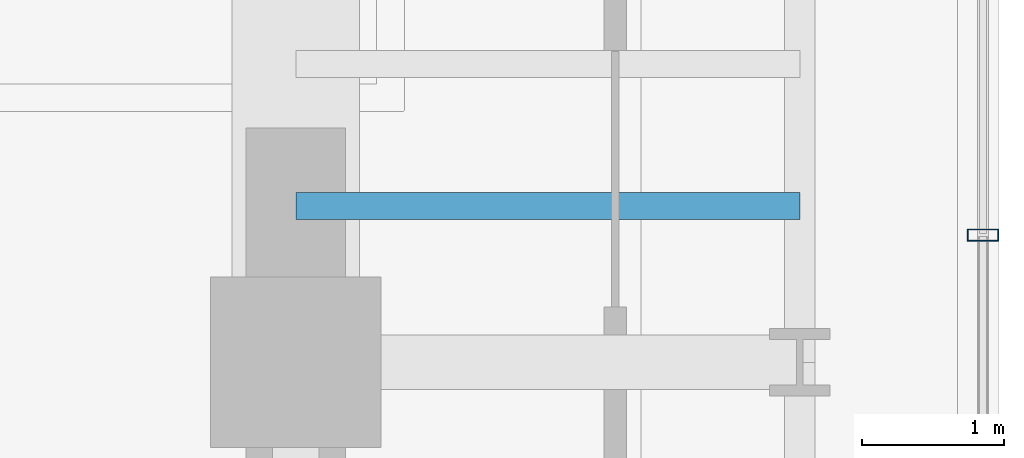
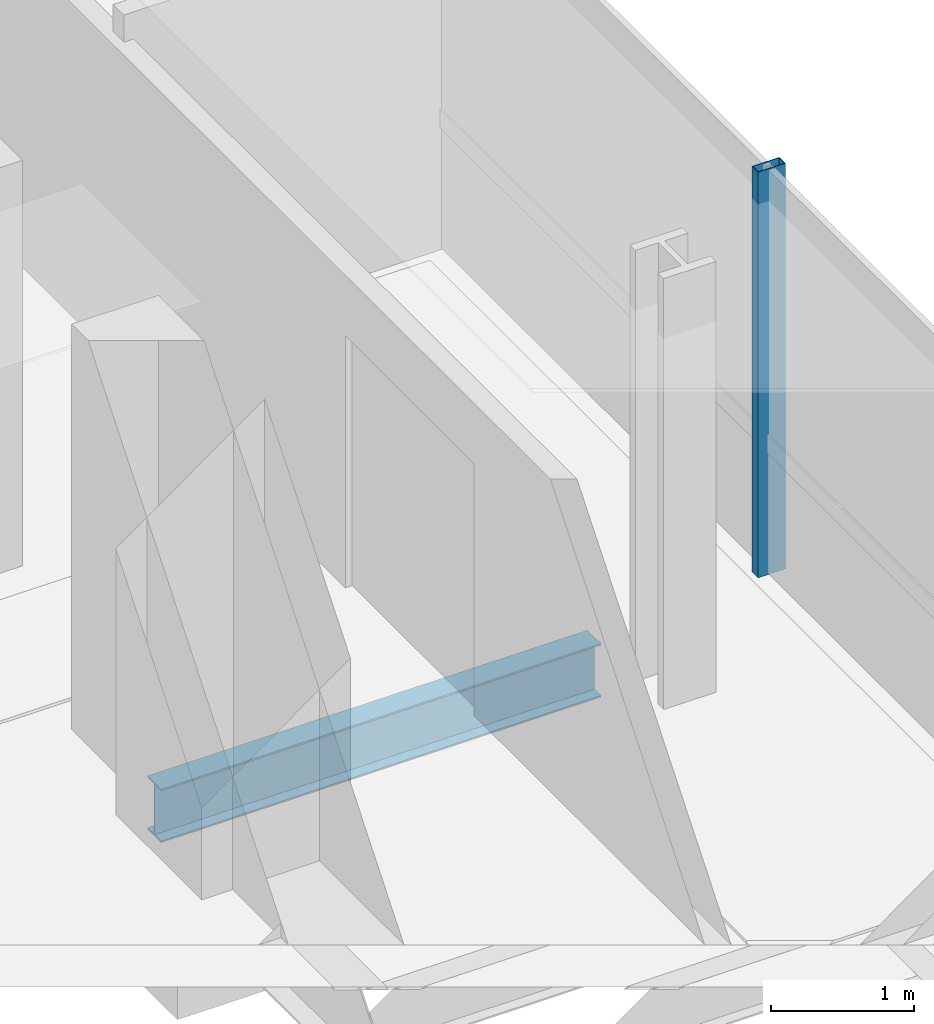
# One storey, part 12 of 36: 1 beam, 1 member, 1 element without a shape of its own.
"""IFC4 building model written with IfcOpenShell, lengths in metres."""

from ifc_helpers import new_model, si_unit, direction, frame, origin, origin_2d, place, context, subcontext, project, spatial, hollow_rectangle, i_section, extrude, source, transform, mapped, material, material_profile, profile_set, type_object, element, aggregate, save


model = new_model("IFC4")

# Units and contexts
model_context = context("Model", 3, precision=1e-05, world=origin(), true_north=direction((0.0, 1.0)))
body_context = subcontext(model_context, "Body", "Model", "MODEL_VIEW")
ifc_project = project(units=[si_unit("LENGTHUNIT", "METRE"), si_unit("AREAUNIT", "SQUARE_METRE"), si_unit("VOLUMEUNIT", "CUBIC_METRE"), si_unit("PLANEANGLEUNIT", "RADIAN"), si_unit("MASSUNIT", "GRAM", prefix="KILO")], contexts=[model_context])

# Site, building, storey
site_placement = place(None, origin())
site = spatial("IfcSite", under=ifc_project, at=site_placement, CompositionType="ELEMENT")
building_placement = place(site_placement, origin())
building = spatial("IfcBuilding", under=site, at=building_placement, Name="Valdorenza Pilgrim Sanctuary Tower", CompositionType="ELEMENT")
storey_placement = place(building_placement, frame((0.0, 0.0, 109.39990234375)))
storey = spatial("IfcBuildingStorey", under=building, at=storey_placement, Name="L27", CompositionType="ELEMENT", Elevation=109.39990234375)

# Beam
ifc_material_1 = material(Name="Steel ASTM A992 Grade 50", Category="steel")
ifc_material_profile_1 = material_profile(ifc_material_1, i_section(OverallWidth=0.19091796875, OverallDepth=0.45703125, WebThickness=0.009033203125, FlangeThickness=0.014404296875, at=origin_2d()), Name="W18X50")
ifc_profile_set_1 = profile_set([ifc_material_profile_1], Name="Steel ASTM A992 Grade 50")
beam_type = type_object("IfcBeamType", Name="STR-BM-JST-W18B", PredefinedType="JOIST", material=ifc_profile_set_1)
shared_shape_1 = source(origin(), body_context, "Body", "SweptSolid", [
    extrude(i_section(OverallWidth=0.19091796875, OverallDepth=0.45703125, WebThickness=0.009033203125, FlangeThickness=0.014404296875, at=origin_2d()), origin(), (0.0, 0.0, 1.0), 3.5498046875),
])
beam_placement = place(storey_placement, frame((24.85009765625, -1.5, -0.468505859375), z_axis=(1.0, 0.0, 0.0), x_axis=(0.0, 1.0, 0.0)))
element("IfcBeam", 1, at=beam_placement, inside=storey, type_object=beam_type, Name="L27 Composite Floor Joist JST-WB-8", PredefinedType="JOIST", context=body_context, shape_type="MappedRepresentation", body=[
    mapped(shared_shape_1, transform((0.0, 0.0, 0.0), x_axis=(1.0, 0.0, 0.0), y_axis=(0.0, 1.0, 0.0), z_axis=(0.0, 0.0, 1.0), scale=1.0)),
])

# Curtain wall, member
ifc_material_2 = material(Name="Curtain-wall IGU glazing", Category="glass")
curtain_wall_type = type_object("IfcCurtainWallType", Name="CW-SYS-03", PredefinedType="NOTDEFINED", material=ifc_material_2)
curtain_wall_placement = place(storey_placement, origin())
curtain_wall = element("IfcCurtainWall", 2, at=curtain_wall_placement, inside=storey, type_object=curtain_wall_type, Name="L27 Curtain Wall CW-L27-1-21", PredefinedType="NOTDEFINED")
ifc_material_3 = material(Name="Anodised aluminium AW-6060", Category="aluminium")
ifc_material_profile_2 = material_profile(ifc_material_3, hollow_rectangle(XDim=0.0849609375, YDim=0.219970703125, WallThickness=0.0048828125, at=origin_2d()), Name="ALU-M 220x85x5")
ifc_profile_set_2 = profile_set([ifc_material_profile_2], Name="Anodised aluminium AW-6060")
member_type = type_object("IfcMemberType", Name="CW-MUL-03", PredefinedType="MULLION", material=ifc_profile_set_2)
shared_shape_2 = source(origin(), body_context, "Body", "SweptSolid", [
    extrude(hollow_rectangle(XDim=0.0849609375, YDim=0.219970703125, WallThickness=0.0048828125, at=origin_2d()), origin(), (0.0, 0.0, 1.0), 3.460205078125),
])
member_placement = place(storey_placement, frame((29.68994140625, -1.7041015625, 0.0), z_axis=(0.0, 0.0, 1.0), x_axis=(0.0, -1.0, 0.0)))
member = element("IfcMember", 3, at=member_placement, type_object=member_type, Name="CW-L27-1-21 Mullion 3", PredefinedType="MULLION", context=body_context, shape_type="MappedRepresentation", body=[
    mapped(shared_shape_2, transform((0.0, 0.0, 0.0), x_axis=(1.0, 0.0, 0.0), y_axis=(0.0, 1.0, 0.0), z_axis=(0.0, 0.0, 1.0), scale=1.0)),
])
aggregate(curtain_wall, [member])

save(model, "model.ifc")
